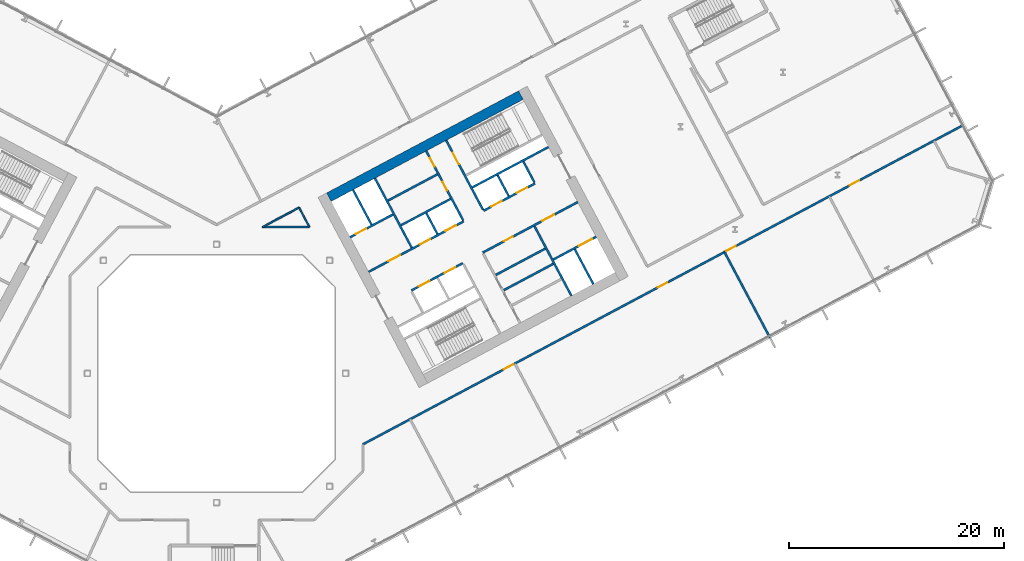
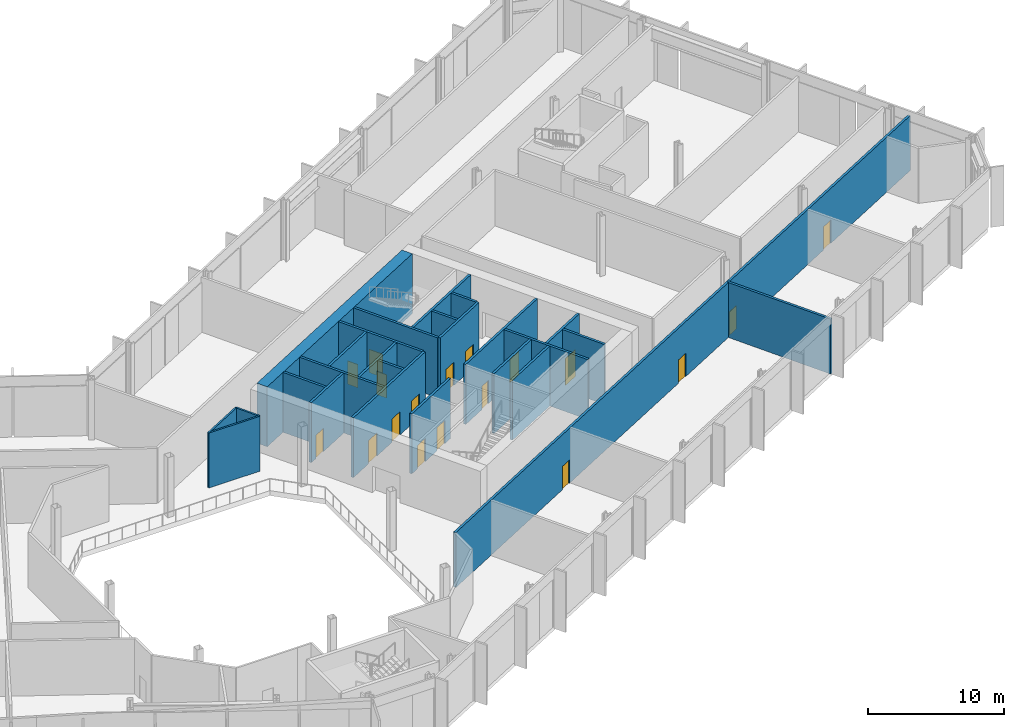
# One storey, part 16 of 32: 26 walls, 18 doors, 18 openings.
"""IFC4 building model written with IfcOpenShell, lengths in metres."""

from ifc_helpers import new_model, si_unit, direction, frame, frame_2d, origin, place, context, subcontext, project, spatial, rectangle, extrude, material, layer, layer_set, type_object, element, fill, save


model = new_model("IFC4")

# Units and contexts
model_context = context("Model", 3, precision=1e-05, world=origin(), true_north=direction((0.0, 1.0)))
body_context = subcontext(model_context, "Body", "Model", "MODEL_VIEW")
ifc_project = project(units=[si_unit("LENGTHUNIT", "METRE"), si_unit("AREAUNIT", "SQUARE_METRE"), si_unit("VOLUMEUNIT", "CUBIC_METRE"), si_unit("PLANEANGLEUNIT", "RADIAN"), si_unit("MASSUNIT", "GRAM", prefix="KILO")], contexts=[model_context])

# Site, building, storey
site_placement = place(None, origin())
site = spatial("IfcSite", under=ifc_project, at=site_placement, CompositionType="ELEMENT")
building_placement = place(site_placement, origin())
building = spatial("IfcBuilding", under=site, at=building_placement, Name="Cormorant Relay Tower", CompositionType="ELEMENT")
storey_placement = place(building_placement, frame((0.0, 0.0, 28.39990234375)))
storey = spatial("IfcBuildingStorey", under=building, at=storey_placement, Name="L05", CompositionType="ELEMENT", Elevation=28.39990234375)

# Walls
ifc_material_1 = material(Name="Concrete 40 MPa", Category="concrete")
ifc_layer_1 = layer(ifc_material_1, 0.199951171875)
ifc_layer_set_1 = layer_set([ifc_layer_1], Name="Core internal wall 200")
wall_type_1 = type_object("IfcWallType", Name="Core internal wall 200", PredefinedType="SOLIDWALL", material=ifc_layer_set_1)
for number, where, z_axis, x_axis, name in (
    (1, (20.522216796875, 12.950439453125, 0.0), (0.0, 0.0, 1.0), (-0.469401318492, 0.882984938828, 0.0), "L05 core B shaft and room wall"),
    (2, (27.144287109375, 16.471435546875, 0.0), (0.0, 0.0, 1.0), (-0.469401318492, 0.882984938828, 0.0), "L05 core B shaft and room wall"),
):
    element("IfcWall", number, at=place(storey_placement, frame(where, z_axis=z_axis, x_axis=x_axis)), inside=storey, type_object=wall_type_1, Name=name, PredefinedType="SOLIDWALL", context=body_context, shape_type="SweptSolid", body=[
        extrude(rectangle(XDim=2.199951171875, YDim=0.199951171875, at=frame_2d((1.10009765625, 0.0))), origin(), (0.0, 0.0, 1.0), 5.400146484375),
    ])
for number, where, z_axis, x_axis, name in (
    (3, (26.692138671875, 7.73681640625, 0.0), (0.0, 0.0, 1.0), (0.882953967957, 0.469459572775, 0.0), "L05 core B shaft and room wall"),
    (4, (15.92626953125, 16.056396484375, 0.0), (0.0, 0.0, 1.0), (0.882953967957, 0.469459572775, 0.0), "L05 core B shaft and room wall"),
):
    element("IfcWall", number, at=place(storey_placement, frame(where, z_axis=z_axis, x_axis=x_axis)), inside=storey, type_object=wall_type_1, Name=name, PredefinedType="SOLIDWALL", context=body_context, shape_type="SweptSolid", body=[
        extrude(rectangle(XDim=5.199951171875, YDim=0.199951171875, at=frame_2d((2.60009765625, 0.0))), origin(), (0.0, 0.0, 1.0), 5.400146484375),
    ])
ifc_material_2 = material(Name="Concrete 50 MPa", Category="concrete")
ifc_layer_2 = layer(ifc_material_2, 0.199951171875)
ifc_layer_set_2 = layer_set([ifc_layer_2], Name="Core shaft wall 200")
wall_type_2 = type_object("IfcWallType", Name="Core shaft wall 200", PredefinedType="SHEAR", material=ifc_layer_set_2)
wall_1_placement = place(storey_placement, frame((14.39404296875, 13.825927734375, 0.0), z_axis=(0.0, 0.0, 1.0), x_axis=(-0.469494272526, 0.882935517501, 0.0)))
element("IfcWall", 5, at=wall_1_placement, inside=storey, type_object=wall_type_2, Name="L05 core B shaft wall", PredefinedType="SHEAR", context=body_context, shape_type="SweptSolid", body=[
    extrude(rectangle(XDim=3.64990234375, YDim=0.199951171875, at=frame_2d((1.824951171875, 0.0))), origin(), (0.0, 0.0, 1.0), 5.400146484375),
])
wall_2_placement = place(storey_placement, frame((18.138427734375, 11.682861328125, 0.0), z_axis=(0.0, 0.0, 1.0), x_axis=(-0.469480409012, 0.88294288918, 0.0)))
element("IfcWall", 6, at=wall_2_placement, inside=storey, type_object=wall_type_2, Name="L05 core B shaft wall", PredefinedType="SHEAR", context=body_context, shape_type="SweptSolid", body=[
    extrude(rectangle(XDim=7.300048828125, YDim=0.199951171875, at=frame_2d((3.64990234375, 0.0))), origin(), (0.0, 0.0, 1.0), 5.400146484375),
])

# Wall, openings, doors
wall_3_placement = place(storey_placement, frame((22.90625, 14.218017578125, 0.0), z_axis=(0.0, 0.0, 1.0), x_axis=(-0.469480409012, 0.88294288918, 0.0)))
wall_3 = element("IfcWall", 7, at=wall_3_placement, inside=storey, type_object=wall_type_2, Name="L05 core B shaft wall", PredefinedType="SHEAR", context=body_context, shape_type="SweptSolid", body=[
    extrude(rectangle(XDim=7.300048828125, YDim=0.199951171875, at=frame_2d((3.64990234375, 0.0))), origin(), (0.0, 0.0, 1.0), 5.400146484375),
])
opening_1_placement = place(wall_3_placement, frame((3.14990234375, 0.0, 0.0)))
opening_1 = element("IfcOpeningElement", 8, at=opening_1_placement, cuts=wall_3, Name="Opening CDD-090", PredefinedType="OPENING", context=body_context, shape_type="SweptSolid", body=[
    extrude(rectangle(XDim=0.89990234375, YDim=2.10009765625, at=frame_2d((0.449951171875, 1.050048828125))), frame((0.0, 0.10986328125, 0.0), z_axis=(0.0, -1.0, 0.0), x_axis=(1.0, 0.0, 0.0)), (0.0, 0.0, 1.0), 0.219970703125),
])
opening_2_placement = place(wall_3_placement, frame((5.64990234375, 0.0, 0.0)))
opening_2 = element("IfcOpeningElement", 9, at=opening_2_placement, cuts=wall_3, Name="Opening CDD-091", PredefinedType="OPENING", context=body_context, shape_type="SweptSolid", body=[
    extrude(rectangle(XDim=0.89990234375, YDim=2.10009765625, at=frame_2d((0.449951171875, 1.050048828125))), frame((0.0, 0.10986328125, 0.0), z_axis=(0.0, -1.0, 0.0), x_axis=(1.0, 0.0, 0.0)), (0.0, 0.0, 1.0), 0.219970703125),
])
ifc_material_3 = material(Name="Steel fire door", Category="steel")
door_type_1 = type_object("IfcDoorType", Name="Core room door 900x2100", OperationType="SINGLE_SWING_LEFT", PredefinedType="DOOR", material=ifc_material_3)
door_1_placement = place(opening_1_placement, origin())
door_1 = element("IfcDoor", 10, at=door_1_placement, inside=storey, type_object=door_type_1, Name="Core room door 900x2100", OperationType="SINGLE_SWING_RIGHT", OverallHeight=2.10009765625, OverallWidth=0.89990234375, PredefinedType="DOOR", context=body_context, shape_type="SweptSolid", body=[
    extrude(rectangle(XDim=0.89990234375, YDim=2.10009765625, at=frame_2d((0.449951171875, 1.050048828125))), frame((0.0, 0.02490234375, 0.0), z_axis=(0.0, -1.0, 0.0), x_axis=(1.0, 0.0, 0.0)), (0.0, 0.0, 1.0), 0.050048828125),
])
fill(opening_1, door_1)
door_2_placement = place(opening_2_placement, origin())
door_2 = element("IfcDoor", 11, at=door_2_placement, inside=storey, type_object=door_type_1, Name="Core room door 900x2100", OperationType="SINGLE_SWING_LEFT", OverallHeight=2.10009765625, OverallWidth=0.89990234375, PredefinedType="DOOR", context=body_context, shape_type="SweptSolid", body=[
    extrude(rectangle(XDim=0.89990234375, YDim=2.10009765625, at=frame_2d((0.449951171875, 1.050048828125))), frame((0.0, 0.02490234375, 0.0), z_axis=(0.0, -1.0, 0.0), x_axis=(1.0, 0.0, 0.0)), (0.0, 0.0, 1.0), 0.050048828125),
])
fill(opening_2, door_2)

# Wall, opening, door
wall_4_placement = place(storey_placement, frame((24.760498046875, 15.2041015625, 0.0), z_axis=(0.0, 0.0, 1.0), x_axis=(-0.469494272526, 0.882935517501, 0.0)))
wall_4 = element("IfcWall", 12, at=wall_4_placement, inside=storey, type_object=wall_type_2, Name="L05 core B shaft wall", PredefinedType="SHEAR", context=body_context, shape_type="SweptSolid", body=[
    extrude(rectangle(XDim=7.2998046875, YDim=0.199951171875, at=frame_2d((3.64990234375, 0.0))), origin(), (0.0, 0.0, 1.0), 5.400146484375),
])
opening_3_placement = place(wall_4_placement, frame((4.800048828125, 0.0, 0.0)))
opening_3 = element("IfcOpeningElement", 13, at=opening_3_placement, cuts=wall_4, Name="Opening CDB-022", PredefinedType="OPENING", context=body_context, shape_type="SweptSolid", body=[
    extrude(rectangle(XDim=1.199951171875, YDim=2.10009765625, at=frame_2d((0.60009765625, 1.050048828125))), frame((0.0, 0.10986328125, 0.0), z_axis=(0.0, -1.0, 0.0), x_axis=(1.0, 0.0, 0.0)), (0.0, 0.0, 1.0), 0.219970703125),
])
ifc_material_4 = material(Name="Steel fire door", Category="steel")
door_type_2 = type_object("IfcDoorType", Name="Core stair door 1200x2100", OperationType="SINGLE_SWING_LEFT", PredefinedType="DOOR", material=ifc_material_4)
door_3_placement = place(opening_3_placement, frame((1.199951171875, 0.0, 0.0), z_axis=(0.0, 0.0, 1.0), x_axis=(-1.0, 0.0, 0.0)))
door_3 = element("IfcDoor", 14, at=door_3_placement, inside=storey, type_object=door_type_2, Name="Core stair door 1200x2100", OperationType="SINGLE_SWING_RIGHT", OverallHeight=2.10009765625, OverallWidth=1.199951171875, PredefinedType="DOOR", context=body_context, shape_type="SweptSolid", body=[
    extrude(rectangle(XDim=1.199951171875, YDim=2.10009765625, at=frame_2d((0.60009765625, 1.050048828125))), frame((0.0, 0.02490234375, 0.0), z_axis=(0.0, -1.0, 0.0), x_axis=(1.0, 0.0, 0.0)), (0.0, 0.0, 1.0), 0.050048828125),
])
fill(opening_3, door_3)

# Walls
wall_5_placement = place(storey_placement, frame((32.968017578125, 7.222900390625, 0.0), z_axis=(0.0, 0.0, 1.0), x_axis=(-0.469480409012, 0.88294288918, 0.0)))
element("IfcWall", 15, at=wall_5_placement, inside=storey, type_object=wall_type_2, Name="L05 core B shaft wall", PredefinedType="SHEAR", context=body_context, shape_type="SweptSolid", body=[
    extrude(rectangle(XDim=7.300048828125, YDim=0.199951171875, at=frame_2d((3.64990234375, 0.0))), origin(), (0.0, 0.0, 1.0), 5.400146484375),
])
wall_6_placement = place(storey_placement, frame((29.5283203125, 17.739013671875, 0.0), z_axis=(0.0, 0.0, 1.0), x_axis=(-0.469401318492, 0.882984938828, 0.0)))
element("IfcWall", 16, at=wall_6_placement, inside=storey, type_object=wall_type_2, Name="L05 core B shaft wall", PredefinedType="SHEAR", context=body_context, shape_type="SweptSolid", body=[
    extrude(rectangle(XDim=2.199951171875, YDim=0.199951171875, at=frame_2d((1.10009765625, 0.0))), origin(), (0.0, 0.0, 1.0), 5.400146484375),
])
wall_7_placement = place(storey_placement, frame((34.998779296875, 8.302734375, 0.0), z_axis=(0.0, 0.0, 1.0), x_axis=(-0.4694665462, 0.882950260207, 0.0)))
element("IfcWall", 17, at=wall_7_placement, inside=storey, type_object=wall_type_2, Name="L05 core B shaft wall", PredefinedType="SHEAR", context=body_context, shape_type="SweptSolid", body=[
    extrude(rectangle(XDim=3.650146484375, YDim=0.199951171875, at=frame_2d((1.8251953125, 0.0))), origin(), (0.0, 0.0, 1.0), 5.400146484375),
])

# Wall, opening, door
wall_8_placement = place(storey_placement, frame((31.295654296875, 10.5810546875, 0.0), z_axis=(0.0, 0.0, 1.0), x_axis=(0.882960433586, 0.469447412093, 0.0)))
wall_8 = element("IfcWall", 18, at=wall_8_placement, inside=storey, type_object=wall_type_2, Name="L05 core B shaft wall", PredefinedType="SHEAR", context=body_context, shape_type="SweptSolid", body=[
    extrude(rectangle(XDim=4.5, YDim=0.199951171875, at=frame_2d((2.25, 0.0))), origin(), (0.0, 0.0, 1.0), 5.400146484375),
])
opening_4_placement = place(wall_8_placement, frame((2.64990234375, 0.0, 0.0)))
opening_4 = element("IfcOpeningElement", 19, at=opening_4_placement, cuts=wall_8, Name="Opening LD3-008", PredefinedType="OPENING", context=body_context, shape_type="SweptSolid", body=[
    extrude(rectangle(XDim=1.39990234375, YDim=2.39990234375, at=frame_2d((0.699951171875, 1.199951171875))), frame((0.0, 0.10986328125, 0.0), z_axis=(0.0, -1.0, 0.0), x_axis=(1.0, 0.0, 0.0)), (0.0, 0.0, 1.0), 0.219970703125),
])
ifc_material_5 = material(Name="Stainless steel 316", Category="steel")
door_type_3 = type_object("IfcDoorType", Name="Lift landing door 1400x2400", OperationType="DOUBLE_DOOR_SLIDING", PredefinedType="DOOR", material=ifc_material_5)
door_4_placement = place(opening_4_placement, origin())
door_4 = element("IfcDoor", 20, at=door_4_placement, inside=storey, type_object=door_type_3, Name="SV2 landing door", OperationType="DOUBLE_DOOR_SLIDING", OverallHeight=2.39990234375, OverallWidth=1.39990234375, PredefinedType="DOOR", context=body_context, shape_type="SweptSolid", body=[
    extrude(rectangle(XDim=1.39990234375, YDim=2.39990234375, at=frame_2d((0.699951171875, 1.199951171875))), frame((0.0, 0.02490234375, 0.0), z_axis=(0.0, -1.0, 0.0), x_axis=(1.0, 0.0, 0.0)), (0.0, 0.0, 1.0), 0.050048828125),
])
fill(opening_4, door_4)

# Wall
wall_9_placement = place(storey_placement, frame((25.94091796875, 9.149658203125, 0.0), z_axis=(0.0, 0.0, 1.0), x_axis=(0.882953967957, 0.469459572775, 0.0)))
element("IfcWall", 21, at=wall_9_placement, inside=storey, type_object=wall_type_2, Name="L05 core B shaft wall", PredefinedType="SHEAR", context=body_context, shape_type="SweptSolid", body=[
    extrude(rectangle(XDim=5.199951171875, YDim=0.199951171875, at=frame_2d((2.60009765625, 0.0))), origin(), (0.0, 0.0, 1.0), 5.400146484375),
])

# Wall, openings, doors
wall_10_placement = place(storey_placement, frame((18.103759765625, 7.70068359375, 0.0), z_axis=(0.0, 0.0, 1.0), x_axis=(0.882952937579, 0.469461510692, 0.0)))
wall_10 = element("IfcWall", 22, at=wall_10_placement, inside=storey, type_object=wall_type_2, Name="L05 core B shaft wall", PredefinedType="SHEAR", context=body_context, shape_type="SweptSolid", body=[
    extrude(rectangle(XDim=5.400146484375, YDim=0.199951171875, at=frame_2d((2.7001953125, 0.0))), origin(), (0.0, 0.0, 1.0), 5.400146484375),
])
opening_5_placement = place(wall_10_placement, frame((0.800048828125, 0.0, 0.0)))
opening_5 = element("IfcOpeningElement", 23, at=opening_5_placement, cuts=wall_10, Name="Opening LD1-024", PredefinedType="OPENING", context=body_context, shape_type="SweptSolid", body=[
    extrude(rectangle(XDim=1.10009765625, YDim=2.10009765625, at=frame_2d((0.550048828125, 1.050048828125))), frame((0.0, 0.10986328125, 0.0), z_axis=(0.0, -1.0, 0.0), x_axis=(1.0, 0.0, 0.0)), (0.0, 0.0, 1.0), 0.219970703125),
])
opening_6_placement = place(wall_10_placement, frame((3.5, 0.0, 0.0)))
opening_6 = element("IfcOpeningElement", 24, at=opening_6_placement, cuts=wall_10, Name="Opening LD1-025", PredefinedType="OPENING", context=body_context, shape_type="SweptSolid", body=[
    extrude(rectangle(XDim=1.10009765625, YDim=2.10009765625, at=frame_2d((0.550048828125, 1.050048828125))), frame((0.0, 0.10986328125, 0.0), z_axis=(0.0, -1.0, 0.0), x_axis=(1.0, 0.0, 0.0)), (0.0, 0.0, 1.0), 0.219970703125),
])
ifc_material_6 = material(Name="Stainless steel 316", Category="steel")
door_type_4 = type_object("IfcDoorType", Name="Lift landing door 1100x2100", OperationType="DOUBLE_DOOR_SLIDING", PredefinedType="DOOR", material=ifc_material_6)
door_5_placement = place(opening_5_placement, origin())
door_5 = element("IfcDoor", 25, at=door_5_placement, inside=storey, type_object=door_type_4, Name="LR5 landing door", OperationType="DOUBLE_DOOR_SLIDING", OverallHeight=2.10009765625, OverallWidth=1.10009765625, PredefinedType="DOOR", context=body_context, shape_type="SweptSolid", body=[
    extrude(rectangle(XDim=1.10009765625, YDim=2.10009765625, at=frame_2d((0.550048828125, 1.050048828125))), frame((0.0, 0.02490234375, 0.0), z_axis=(0.0, -1.0, 0.0), x_axis=(1.0, 0.0, 0.0)), (0.0, 0.0, 1.0), 0.050048828125),
])
fill(opening_5, door_5)
door_6_placement = place(opening_6_placement, origin())
door_6 = element("IfcDoor", 26, at=door_6_placement, inside=storey, type_object=door_type_4, Name="LR6 landing door", OperationType="DOUBLE_DOOR_SLIDING", OverallHeight=2.10009765625, OverallWidth=1.10009765625, PredefinedType="DOOR", context=body_context, shape_type="SweptSolid", body=[
    extrude(rectangle(XDim=1.10009765625, YDim=2.10009765625, at=frame_2d((0.550048828125, 1.050048828125))), frame((0.0, 0.02490234375, 0.0), z_axis=(0.0, -1.0, 0.0), x_axis=(1.0, 0.0, 0.0)), (0.0, 0.0, 1.0), 0.050048828125),
])
fill(opening_6, door_6)

wall_11_placement = place(storey_placement, frame((24.72607421875, 11.2216796875, 0.0), z_axis=(0.0, 0.0, 1.0), x_axis=(0.882940221191, 0.469485426614, 0.0)))
wall_11 = element("IfcWall", 27, at=wall_11_placement, inside=storey, type_object=wall_type_2, Name="L05 core B shaft wall", PredefinedType="SHEAR", context=body_context, shape_type="SweptSolid", body=[
    extrude(rectangle(XDim=10.0, YDim=0.199951171875, at=frame_2d((5.0, 0.0))), origin(), (0.0, 0.0, 1.0), 5.400146484375),
])
opening_7_placement = place(wall_11_placement, frame((6.300048828125, 0.0, 0.0)))
opening_7 = element("IfcOpeningElement", 28, at=opening_7_placement, cuts=wall_11, Name="Opening CDC-016", PredefinedType="OPENING", context=body_context, shape_type="SweptSolid", body=[
    extrude(rectangle(XDim=1.199951171875, YDim=2.10009765625, at=frame_2d((0.60009765625, 1.050048828125))), frame((0.0, 0.10986328125, 0.0), z_axis=(0.0, -1.0, 0.0), x_axis=(1.0, 0.0, 0.0)), (0.0, 0.0, 1.0), 0.219970703125),
])
opening_8_placement = place(wall_11_placement, frame((2.25, 0.0, 0.0)))
opening_8 = element("IfcOpeningElement", 29, at=opening_8_placement, cuts=wall_11, Name="Opening CDD-089", PredefinedType="OPENING", context=body_context, shape_type="SweptSolid", body=[
    extrude(rectangle(XDim=0.89990234375, YDim=2.10009765625, at=frame_2d((0.449951171875, 1.050048828125))), frame((0.0, 0.10986328125, 0.0), z_axis=(0.0, -1.0, 0.0), x_axis=(1.0, 0.0, 0.0)), (0.0, 0.0, 1.0), 0.219970703125),
])
ifc_material_7 = material(Name="Steel fire door", Category="steel")
door_type_5 = type_object("IfcDoorType", Name="Core lobby door 1200x2100", OperationType="SINGLE_SWING_LEFT", PredefinedType="DOOR", material=ifc_material_7)
door_7_placement = place(opening_7_placement, frame((1.199951171875, 0.0, 0.0), z_axis=(0.0, 0.0, 1.0), x_axis=(-1.0, 0.0, 0.0)))
door_7 = element("IfcDoor", 30, at=door_7_placement, inside=storey, type_object=door_type_5, Name="Core lobby door 1200x2100", OperationType="SINGLE_SWING_RIGHT", OverallHeight=2.10009765625, OverallWidth=1.199951171875, PredefinedType="DOOR", context=body_context, shape_type="SweptSolid", body=[
    extrude(rectangle(XDim=1.199951171875, YDim=2.10009765625, at=frame_2d((0.60009765625, 1.050048828125))), frame((0.0, 0.02490234375, 0.0), z_axis=(0.0, -1.0, 0.0), x_axis=(1.0, 0.0, 0.0)), (0.0, 0.0, 1.0), 0.050048828125),
])
fill(opening_7, door_7)
door_8_placement = place(opening_8_placement, frame((0.89990234375, 0.0, 0.0), z_axis=(0.0, 0.0, 1.0), x_axis=(-1.0, 0.0, 0.0)))
door_8 = element("IfcDoor", 31, at=door_8_placement, inside=storey, type_object=door_type_1, Name="Core room door 900x2100", OperationType="SINGLE_SWING_RIGHT", OverallHeight=2.10009765625, OverallWidth=0.89990234375, PredefinedType="DOOR", context=body_context, shape_type="SweptSolid", body=[
    extrude(rectangle(XDim=0.89990234375, YDim=2.10009765625, at=frame_2d((0.449951171875, 1.050048828125))), frame((0.0, 0.02490234375, 0.0), z_axis=(0.0, -1.0, 0.0), x_axis=(1.0, 0.0, 0.0)), (0.0, 0.0, 1.0), 0.050048828125),
])
fill(opening_8, door_8)

wall_12_placement = place(storey_placement, frame((14.123779296875, 9.43505859375, 0.0), z_axis=(0.0, 0.0, 1.0), x_axis=(0.882940221191, 0.469485426614, 0.0)))
wall_12 = element("IfcWall", 32, at=wall_12_placement, inside=storey, type_object=wall_type_2, Name="L05 core B shaft wall", PredefinedType="SHEAR", context=body_context, shape_type="SweptSolid", body=[
    extrude(rectangle(XDim=10.0, YDim=0.199951171875, at=frame_2d((5.0, 0.0))), origin(), (0.0, 0.0, 1.0), 5.400146484375),
])
opening_9_placement = place(wall_12_placement, frame((2.10009765625, 0.0, 0.0)))
opening_9 = element("IfcOpeningElement", 33, at=opening_9_placement, cuts=wall_12, Name="Opening CDC-015", PredefinedType="OPENING", context=body_context, shape_type="SweptSolid", body=[
    extrude(rectangle(XDim=1.199951171875, YDim=2.10009765625, at=frame_2d((0.60009765625, 1.050048828125))), frame((0.0, 0.10986328125, 0.0), z_axis=(0.0, -1.0, 0.0), x_axis=(1.0, 0.0, 0.0)), (0.0, 0.0, 1.0), 0.219970703125),
])
opening_10_placement = place(wall_12_placement, frame((5.39990234375, 0.0, 0.0)))
opening_10 = element("IfcOpeningElement", 34, at=opening_10_placement, cuts=wall_12, Name="Opening LD1-020", PredefinedType="OPENING", context=body_context, shape_type="SweptSolid", body=[
    extrude(rectangle(XDim=1.10009765625, YDim=2.10009765625, at=frame_2d((0.550048828125, 1.050048828125))), frame((0.0, 0.10986328125, 0.0), z_axis=(0.0, -1.0, 0.0), x_axis=(1.0, 0.0, 0.0)), (0.0, 0.0, 1.0), 0.219970703125),
])
opening_11_placement = place(wall_12_placement, frame((8.10009765625, 0.0, 0.0)))
opening_11 = element("IfcOpeningElement", 35, at=opening_11_placement, cuts=wall_12, Name="Opening LD1-021", PredefinedType="OPENING", context=body_context, shape_type="SweptSolid", body=[
    extrude(rectangle(XDim=1.10009765625, YDim=2.10009765625, at=frame_2d((0.550048828125, 1.050048828125))), frame((0.0, 0.10986328125, 0.0), z_axis=(0.0, -1.0, 0.0), x_axis=(1.0, 0.0, 0.0)), (0.0, 0.0, 1.0), 0.219970703125),
])
door_9_placement = place(opening_9_placement, origin())
door_9 = element("IfcDoor", 36, at=door_9_placement, inside=storey, type_object=door_type_5, Name="Core lobby door 1200x2100", OperationType="SINGLE_SWING_RIGHT", OverallHeight=2.10009765625, OverallWidth=1.199951171875, PredefinedType="DOOR", context=body_context, shape_type="SweptSolid", body=[
    extrude(rectangle(XDim=1.199951171875, YDim=2.10009765625, at=frame_2d((0.60009765625, 1.050048828125))), frame((0.0, 0.02490234375, 0.0), z_axis=(0.0, -1.0, 0.0), x_axis=(1.0, 0.0, 0.0)), (0.0, 0.0, 1.0), 0.050048828125),
])
fill(opening_9, door_9)
door_10_placement = place(opening_10_placement, origin())
door_10 = element("IfcDoor", 37, at=door_10_placement, inside=storey, type_object=door_type_4, Name="LR1 landing door", OperationType="DOUBLE_DOOR_SLIDING", OverallHeight=2.10009765625, OverallWidth=1.10009765625, PredefinedType="DOOR", context=body_context, shape_type="SweptSolid", body=[
    extrude(rectangle(XDim=1.10009765625, YDim=2.10009765625, at=frame_2d((0.550048828125, 1.050048828125))), frame((0.0, 0.02490234375, 0.0), z_axis=(0.0, -1.0, 0.0), x_axis=(1.0, 0.0, 0.0)), (0.0, 0.0, 1.0), 0.050048828125),
])
fill(opening_10, door_10)
door_11_placement = place(opening_11_placement, origin())
door_11 = element("IfcDoor", 38, at=door_11_placement, inside=storey, type_object=door_type_4, Name="LR2 landing door", OperationType="DOUBLE_DOOR_SLIDING", OverallHeight=2.10009765625, OverallWidth=1.10009765625, PredefinedType="DOOR", context=body_context, shape_type="SweptSolid", body=[
    extrude(rectangle(XDim=1.10009765625, YDim=2.10009765625, at=frame_2d((0.550048828125, 1.050048828125))), frame((0.0, 0.02490234375, 0.0), z_axis=(0.0, -1.0, 0.0), x_axis=(1.0, 0.0, 0.0)), (0.0, 0.0, 1.0), 0.050048828125),
])
fill(opening_11, door_11)

wall_13_placement = place(storey_placement, frame((24.807373046875, 15.11572265625, 0.0), z_axis=(0.0, 0.0, 1.0), x_axis=(0.882942972946, 0.469480251476, 0.0)))
wall_13 = element("IfcWall", 39, at=wall_13_placement, inside=storey, type_object=wall_type_2, Name="L05 core B shaft wall", PredefinedType="SHEAR", context=body_context, shape_type="SweptSolid", body=[
    extrude(rectangle(XDim=5.39990234375, YDim=0.199951171875, at=frame_2d((2.699951171875, 0.0))), origin(), (0.0, 0.0, 1.0), 5.400146484375),
])
opening_12_placement = place(wall_13_placement, frame((0.800048828125, 0.0, 0.0)))
opening_12 = element("IfcOpeningElement", 40, at=opening_12_placement, cuts=wall_13, Name="Opening LD1-022", PredefinedType="OPENING", context=body_context, shape_type="SweptSolid", body=[
    extrude(rectangle(XDim=1.10009765625, YDim=2.10009765625, at=frame_2d((0.550048828125, 1.050048828125))), frame((0.0, 0.10986328125, 0.0), z_axis=(0.0, -1.0, 0.0), x_axis=(1.0, 0.0, 0.0)), (0.0, 0.0, 1.0), 0.219970703125),
])
opening_13_placement = place(wall_13_placement, frame((3.5, 0.0, 0.0)))
opening_13 = element("IfcOpeningElement", 41, at=opening_13_placement, cuts=wall_13, Name="Opening LD1-023", PredefinedType="OPENING", context=body_context, shape_type="SweptSolid", body=[
    extrude(rectangle(XDim=1.10009765625, YDim=2.10009765625, at=frame_2d((0.550048828125, 1.050048828125))), frame((0.0, 0.10986328125, 0.0), z_axis=(0.0, -1.0, 0.0), x_axis=(1.0, 0.0, 0.0)), (0.0, 0.0, 1.0), 0.219970703125),
])
door_12_placement = place(opening_12_placement, origin())
door_12 = element("IfcDoor", 42, at=door_12_placement, inside=storey, type_object=door_type_4, Name="LR3 landing door", OperationType="DOUBLE_DOOR_SLIDING", OverallHeight=2.10009765625, OverallWidth=1.10009765625, PredefinedType="DOOR", context=body_context, shape_type="SweptSolid", body=[
    extrude(rectangle(XDim=1.10009765625, YDim=2.10009765625, at=frame_2d((0.550048828125, 1.050048828125))), frame((0.0, 0.02490234375, 0.0), z_axis=(0.0, -1.0, 0.0), x_axis=(1.0, 0.0, 0.0)), (0.0, 0.0, 1.0), 0.050048828125),
])
fill(opening_12, door_12)
door_13_placement = place(opening_13_placement, origin())
door_13 = element("IfcDoor", 43, at=door_13_placement, inside=storey, type_object=door_type_4, Name="LR4 landing door", OperationType="DOUBLE_DOOR_SLIDING", OverallHeight=2.10009765625, OverallWidth=1.10009765625, PredefinedType="DOOR", context=body_context, shape_type="SweptSolid", body=[
    extrude(rectangle(XDim=1.10009765625, YDim=2.10009765625, at=frame_2d((0.550048828125, 1.050048828125))), frame((0.0, 0.02490234375, 0.0), z_axis=(0.0, -1.0, 0.0), x_axis=(1.0, 0.0, 0.0)), (0.0, 0.0, 1.0), 0.050048828125),
])
fill(opening_13, door_13)

# Walls
wall_14_placement = place(storey_placement, frame((17.146728515625, 13.7607421875, 0.0), z_axis=(0.0, 0.0, 1.0), x_axis=(0.882964314875, 0.469440111896, 0.0)))
element("IfcWall", 44, at=wall_14_placement, inside=storey, type_object=wall_type_2, Name="L05 core B shaft wall", PredefinedType="SHEAR", context=body_context, shape_type="SweptSolid", body=[
    extrude(rectangle(XDim=5.2001953125, YDim=0.199951171875, at=frame_2d((2.60009765625, 0.0))), origin(), (0.0, 0.0, 1.0), 5.400146484375),
])
wall_15_placement = place(storey_placement, frame((23.76904296875, 17.28173828125, 0.0), z_axis=(0.0, 0.0, 1.0), x_axis=(0.882940221191, 0.469485426614, 0.0)))
element("IfcWall", 45, at=wall_15_placement, inside=storey, type_object=wall_type_2, Name="L05 core B shaft wall", PredefinedType="SHEAR", context=body_context, shape_type="SweptSolid", body=[
    extrude(rectangle(XDim=8.0, YDim=0.199951171875, at=frame_2d((4.0, 0.0))), origin(), (0.0, 0.0, 1.0), 5.400146484375),
])

# Wall, opening, door
wall_16_placement = place(storey_placement, frame((12.41015625, 12.657958984375, 0.0), z_axis=(0.0, 0.0, 1.0), x_axis=(0.8829484765, 0.469469900894, 0.0)))
wall_16 = element("IfcWall", 46, at=wall_16_placement, inside=storey, type_object=wall_type_2, Name="L05 core B shaft wall", PredefinedType="SHEAR", context=body_context, shape_type="SweptSolid", body=[
    extrude(rectangle(XDim=4.499755859375, YDim=0.199951171875, at=frame_2d((2.25, 0.0))), origin(), (0.0, 0.0, 1.0), 5.400146484375),
])
opening_14_placement = place(wall_16_placement, frame((0.60009765625, 0.0, 0.0)))
opening_14 = element("IfcOpeningElement", 47, at=opening_14_placement, cuts=wall_16, Name="Opening LD1-026", PredefinedType="OPENING", context=body_context, shape_type="SweptSolid", body=[
    extrude(rectangle(XDim=1.10009765625, YDim=2.10009765625, at=frame_2d((0.550048828125, 1.050048828125))), frame((0.0, 0.10986328125, 0.0), z_axis=(0.0, -1.0, 0.0), x_axis=(1.0, 0.0, 0.0)), (0.0, 0.0, 1.0), 0.219970703125),
])
door_14_placement = place(opening_14_placement, origin())
door_14 = element("IfcDoor", 48, at=door_14_placement, inside=storey, type_object=door_type_4, Name="FF2 landing door", OperationType="DOUBLE_DOOR_SLIDING", OverallHeight=2.10009765625, OverallWidth=1.10009765625, PredefinedType="DOOR", context=body_context, shape_type="SweptSolid", body=[
    extrude(rectangle(XDim=1.10009765625, YDim=2.10009765625, at=frame_2d((0.550048828125, 1.050048828125))), frame((0.0, 0.02490234375, 0.0), z_axis=(0.0, -1.0, 0.0), x_axis=(1.0, 0.0, 0.0)), (0.0, 0.0, 1.0), 0.050048828125),
])
fill(opening_14, door_14)

# Wall
ifc_material_8 = material(Name="Concrete 70 MPa", Category="concrete")
ifc_layer_3 = layer(ifc_material_8, 0.89990234375)
ifc_layer_set_3 = layer_set([ifc_layer_3], Name="Core wall 900")
wall_type_3 = type_object("IfcWallType", Name="Core wall 900", PredefinedType="SHEAR", material=ifc_layer_set_3)
wall_17_placement = place(storey_placement, frame((10.4384765625, 16.3662109375, 0.0), z_axis=(0.0, 0.0, 1.0), x_axis=(0.88294509198, 0.469476266226, 0.0)))
element("IfcWall", 49, at=wall_17_placement, inside=storey, type_object=wall_type_3, Name="L05 core B wall", PredefinedType="SHEAR", context=body_context, shape_type="SweptSolid", body=[
    extrude(rectangle(XDim=20.199951171875, YDim=0.89990234375, at=frame_2d((10.10009765625, 0.0))), origin(), (0.0, 0.0, 1.0), 5.400146484375),
])

# Wall, openings, doors
ifc_material_9 = material(Name="Fire-rated gypsum board partition")
ifc_layer_4 = layer(ifc_material_9, 0.199951171875)
ifc_layer_set_4 = layer_set([ifc_layer_4], Name="Fire-rated gypsum partition 200")
wall_type_4 = type_object("IfcWallType", Name="Fire-rated gypsum partition 200", PredefinedType="PARTITIONING", material=ifc_layer_set_4)
wall_18_placement = place(storey_placement, frame((69.47509765625, 23.1259765625, 0.0), z_axis=(0.0, 0.0, 1.0), x_axis=(-0.882944287046, -0.469477780063, 0.0)))
wall_18 = element("IfcWall", 50, at=wall_18_placement, inside=storey, type_object=wall_type_4, Name="wall/L05/part/33", PredefinedType="PARTITIONING", context=body_context, shape_type="SweptSolid", body=[
    extrude(rectangle(XDim=63.28515625, YDim=0.199951171875, at=frame_2d((31.642578125, 0.0))), origin(), (0.0, 0.0, 1.0), 4.9501953125),
])
opening_15_placement = place(wall_18_placement, frame((47.469970703125, 0.0, 0.0)))
opening_15 = element("IfcOpeningElement", 51, at=opening_15_placement, cuts=wall_18, Name="Opening FD1-030", PredefinedType="OPENING", context=body_context, shape_type="SweptSolid", body=[
    extrude(rectangle(XDim=1.0, YDim=2.10009765625, at=frame_2d((0.5, 1.050048828125))), frame((0.0, 0.10986328125, 0.0), z_axis=(0.0, -1.0, 0.0), x_axis=(1.0, 0.0, 0.0)), (0.0, 0.0, 1.0), 0.219970703125),
])
opening_16_placement = place(wall_18_placement, frame((31.27099609375, 0.0, 0.0)))
opening_16 = element("IfcOpeningElement", 52, at=opening_16_placement, cuts=wall_18, Name="Opening FD1-031", PredefinedType="OPENING", context=body_context, shape_type="SweptSolid", body=[
    extrude(rectangle(XDim=1.0, YDim=2.10009765625, at=frame_2d((0.5, 1.050048828125))), frame((0.0, 0.10986328125, 0.0), z_axis=(0.0, -1.0, 0.0), x_axis=(1.0, 0.0, 0.0)), (0.0, 0.0, 1.0), 0.219970703125),
])
opening_17_placement = place(wall_18_placement, frame((24.070068359375, 0.0, 0.0)))
opening_17 = element("IfcOpeningElement", 53, at=opening_17_placement, cuts=wall_18, Name="Opening FD1-032", PredefinedType="OPENING", context=body_context, shape_type="SweptSolid", body=[
    extrude(rectangle(XDim=1.0, YDim=2.10009765625, at=frame_2d((0.5, 1.050048828125))), frame((0.0, 0.10986328125, 0.0), z_axis=(0.0, -1.0, 0.0), x_axis=(1.0, 0.0, 0.0)), (0.0, 0.0, 1.0), 0.219970703125),
])
opening_18_placement = place(wall_18_placement, frame((11.071044921875, 0.0, 0.0)))
opening_18 = element("IfcOpeningElement", 54, at=opening_18_placement, cuts=wall_18, Name="Opening FD1-033", PredefinedType="OPENING", context=body_context, shape_type="SweptSolid", body=[
    extrude(rectangle(XDim=1.0, YDim=2.10009765625, at=frame_2d((0.5, 1.050048828125))), frame((0.0, 0.10986328125, 0.0), z_axis=(0.0, -1.0, 0.0), x_axis=(1.0, 0.0, 0.0)), (0.0, 0.0, 1.0), 0.219970703125),
])
ifc_material_10 = material(Name="Fire-rated steel door", Category="steel")
door_type_6 = type_object("IfcDoorType", Name="Fire door 1000 x 2100", OperationType="SINGLE_SWING_LEFT", PredefinedType="DOOR", material=ifc_material_10)
door_15_placement = place(opening_15_placement, origin())
door_15 = element("IfcDoor", 55, at=door_15_placement, inside=storey, type_object=door_type_6, Name="door/L05/11", OperationType="SINGLE_SWING_LEFT", OverallHeight=2.10009765625, OverallWidth=1.0, PredefinedType="DOOR", context=body_context, shape_type="SweptSolid", body=[
    extrude(rectangle(XDim=1.0, YDim=2.10009765625, at=frame_2d((0.5, 1.050048828125))), frame((0.0, 0.02490234375, 0.0), z_axis=(0.0, -1.0, 0.0), x_axis=(1.0, 0.0, 0.0)), (0.0, 0.0, 1.0), 0.050048828125),
])
fill(opening_15, door_15)
door_16_placement = place(opening_16_placement, origin())
door_16 = element("IfcDoor", 56, at=door_16_placement, inside=storey, type_object=door_type_6, Name="door/L05/12", OperationType="SINGLE_SWING_RIGHT", OverallHeight=2.10009765625, OverallWidth=1.0, PredefinedType="DOOR", context=body_context, shape_type="SweptSolid", body=[
    extrude(rectangle(XDim=1.0, YDim=2.10009765625, at=frame_2d((0.5, 1.050048828125))), frame((0.0, 0.02490234375, 0.0), z_axis=(0.0, -1.0, 0.0), x_axis=(1.0, 0.0, 0.0)), (0.0, 0.0, 1.0), 0.050048828125),
])
fill(opening_16, door_16)
door_17_placement = place(opening_17_placement, origin())
door_17 = element("IfcDoor", 57, at=door_17_placement, inside=storey, type_object=door_type_6, Name="door/L05/13", OperationType="SINGLE_SWING_RIGHT", OverallHeight=2.10009765625, OverallWidth=1.0, PredefinedType="DOOR", context=body_context, shape_type="SweptSolid", body=[
    extrude(rectangle(XDim=1.0, YDim=2.10009765625, at=frame_2d((0.5, 1.050048828125))), frame((0.0, 0.02490234375, 0.0), z_axis=(0.0, -1.0, 0.0), x_axis=(1.0, 0.0, 0.0)), (0.0, 0.0, 1.0), 0.050048828125),
])
fill(opening_17, door_17)
door_18_placement = place(opening_18_placement, origin())
door_18 = element("IfcDoor", 58, at=door_18_placement, inside=storey, type_object=door_type_6, Name="door/L05/14", OperationType="SINGLE_SWING_RIGHT", OverallHeight=2.10009765625, OverallWidth=1.0, PredefinedType="DOOR", context=body_context, shape_type="SweptSolid", body=[
    extrude(rectangle(XDim=1.0, YDim=2.10009765625, at=frame_2d((0.5, 1.050048828125))), frame((0.0, 0.02490234375, 0.0), z_axis=(0.0, -1.0, 0.0), x_axis=(1.0, 0.0, 0.0)), (0.0, 0.0, 1.0), 0.050048828125),
])
fill(opening_18, door_18)

# Walls
wall_19_placement = place(storey_placement, frame((47.18310546875, 11.27197265625, 0.0), z_axis=(0.0, 0.0, 1.0), x_axis=(0.469454635748, -0.882956592916, 0.0)))
element("IfcWall", 59, at=wall_19_placement, inside=storey, type_object=wall_type_4, Name="wall/L05/part/40", PredefinedType="PARTITIONING", context=body_context, shape_type="SweptSolid", body=[
    extrude(rectangle(XDim=9.00146484375, YDim=0.199951171875, at=frame_2d((4.500732421875, 0.0))), origin(), (0.0, 0.0, 1.0), 4.9501953125),
])
ifc_material_11 = material(Name="Gypsum board partition")
ifc_layer_5 = layer(ifc_material_11, 0.14990234375)
ifc_layer_set_5 = layer_set([ifc_layer_5], Name="Gypsum board partition 150")
wall_type_5 = type_object("IfcWallType", Name="Gypsum board partition 150", PredefinedType="PARTITIONING", material=ifc_layer_set_5)
wall_20_placement = place(storey_placement, frame((8.6279296875, 13.597900390625, 0.0), z_axis=(0.0, 0.0, 1.0), x_axis=(-0.469498231646, 0.882933412258, 0.0)))
element("IfcWall", 60, at=wall_20_placement, inside=storey, type_object=wall_type_5, Name="wall/L05/part/62", PredefinedType="PARTITIONING", context=body_context, shape_type="SweptSolid", body=[
    extrude(rectangle(XDim=2.046630859375, YDim=0.14990234375, at=frame_2d((1.0234375, 0.0))), origin(), (0.0, 0.0, 1.0), 4.9501953125),
])
wall_21_placement = place(storey_placement, frame((7.6669921875, 15.405029296875, 0.0), z_axis=(0.0, 0.0, 1.0), x_axis=(-0.88290372476, -0.469554057384, 0.0)))
element("IfcWall", 61, at=wall_21_placement, inside=storey, type_object=wall_type_5, Name="wall/L05/part/63", PredefinedType="PARTITIONING", context=body_context, shape_type="SweptSolid", body=[
    extrude(rectangle(XDim=3.8486328125, YDim=0.14990234375, at=frame_2d((1.92431640625, 0.0))), origin(), (0.0, 0.0, 1.0), 4.9501953125),
])
wall_22_placement = place(storey_placement, frame((4.26904296875, 13.597900390625, 0.0), z_axis=(0.0, 0.0, 1.0), x_axis=(1.0, 0.0, 0.0)))
element("IfcWall", 62, at=wall_22_placement, inside=storey, type_object=wall_type_5, Name="wall/L05/part/64", PredefinedType="PARTITIONING", context=body_context, shape_type="SweptSolid", body=[
    extrude(rectangle(XDim=4.35888671875, YDim=0.14990234375, at=frame_2d((2.179443359375, 0.0))), origin(), (0.0, 0.0, 1.0), 4.9501953125),
])

save(model, "model.ifc")
